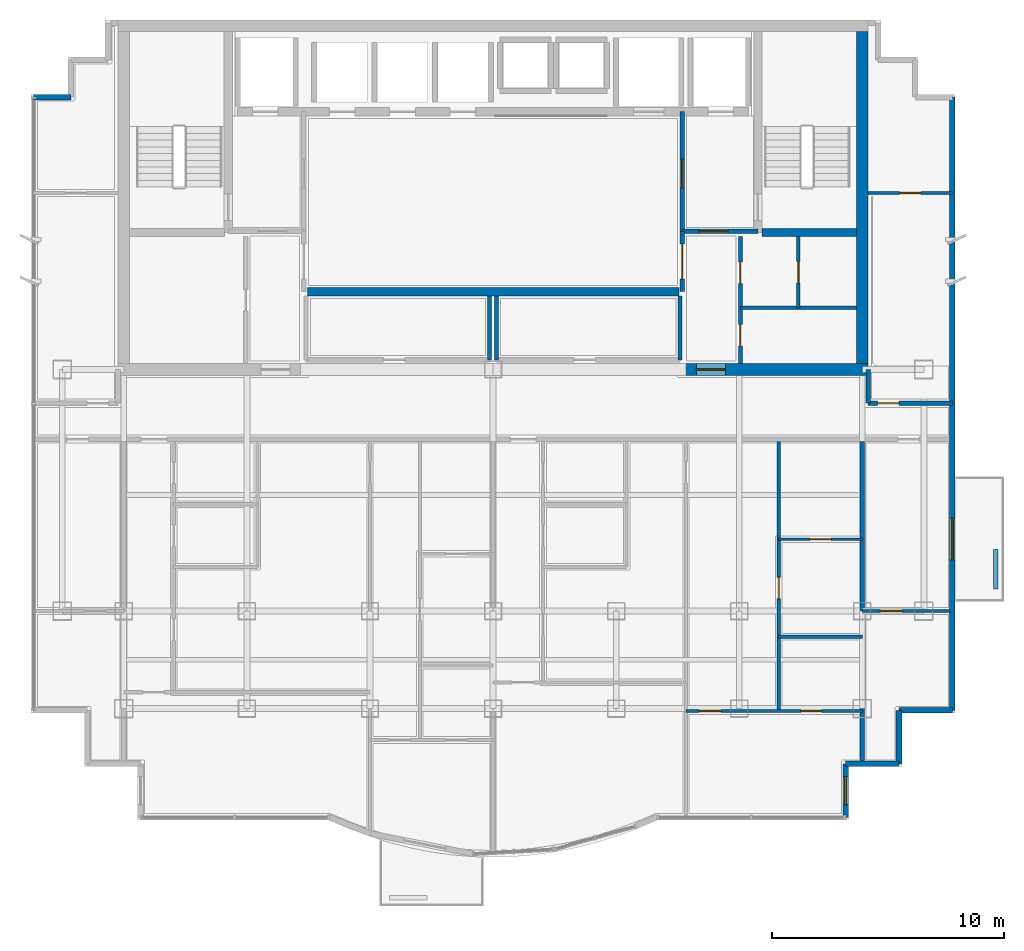
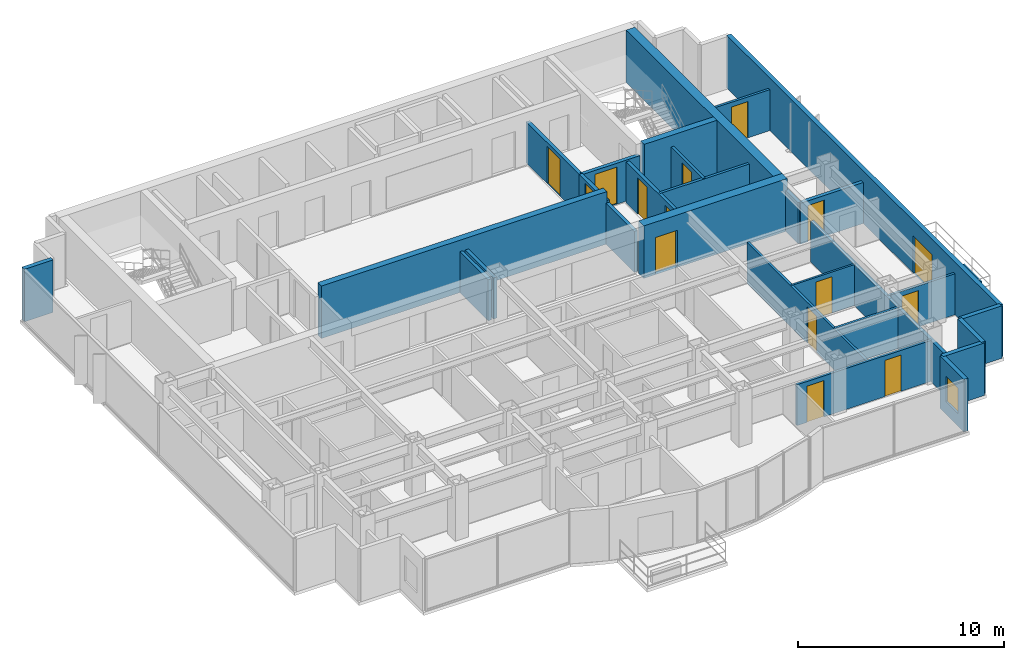
# One storey, part 8 of 11: 29 walls, 15 doors, 1 window, 16 openings.
"""IFC4 building model written with IfcOpenShell, lengths in metres."""

from ifc_helpers import new_model, si_unit, direction, frame, frame_2d, origin, place, context, subcontext, project, spatial, rectangle, extrude, material, layer, layer_set, type_object, element, fill, save


model = new_model("IFC4")

# Units and contexts
model_context = context("Model", 3, precision=1e-05, world=origin(), true_north=direction((0.0, 1.0)))
body_context = subcontext(model_context, "Body", "Model", "MODEL_VIEW")
ifc_project = project(units=[si_unit("LENGTHUNIT", "METRE"), si_unit("AREAUNIT", "SQUARE_METRE"), si_unit("VOLUMEUNIT", "CUBIC_METRE"), si_unit("PLANEANGLEUNIT", "RADIAN"), si_unit("MASSUNIT", "GRAM", prefix="KILO")], contexts=[model_context])

# Site, building, storey
site_placement = place(None, origin())
site = spatial("IfcSite", under=ifc_project, at=site_placement, CompositionType="ELEMENT")
building_placement = place(site_placement, origin())
building = spatial("IfcBuilding", under=site, at=building_placement, Name="Qianlan Lanfeng Residences", CompositionType="ELEMENT")
storey_placement = place(building_placement, frame((0.0, 0.0, 223.10009765625)))
storey = spatial("IfcBuildingStorey", under=building, at=storey_placement, Name="L61", CompositionType="ELEMENT", Elevation=223.10009765625)

# Walls
ifc_material_1 = material(Name="Concrete C49", Category="concrete")
ifc_layer_1 = layer(ifc_material_1, 0.35009765625)
ifc_layer_set_1 = layer_set([ifc_layer_1], Name="Concrete C49")
wall_type_1 = type_object("IfcWallType", Name="CW-RC-350", PredefinedType="SHEAR", material=ifc_layer_set_1)
wall_1_placement = place(storey_placement, frame((38.074951171875, 31.10009765625, 0.0), z_axis=(0.0, 0.0, 1.0), x_axis=(1.0, 0.0, 0.0)))
element("IfcWall", 1, at=wall_1_placement, inside=storey, type_object=wall_type_1, Name="L61 Core Shear Wall ST2S", PredefinedType="SHEAR", context=body_context, shape_type="SweptSolid", body=[
    extrude(rectangle(XDim=4.074951171875, YDim=0.35009765625, at=frame_2d((2.03759765625, 0.0))), origin(), (0.0, 0.0, 1.0), 3.10986328125),
])
wall_2_placement = place(storey_placement, frame((18.5, 28.550048828125, 0.0), z_axis=(0.0, 0.0, 1.0), x_axis=(1.0, 0.0, 0.0)))
element("IfcWall", 2, at=wall_2_placement, inside=storey, type_object=wall_type_1, Name="L61 Core Shear Wall LBS", PredefinedType="SHEAR", context=body_context, shape_type="SweptSolid", body=[
    extrude(rectangle(XDim=16.0, YDim=0.35009765625, at=frame_2d((8.0, 0.0))), origin(), (0.0, 0.0, 1.0), 3.10986328125),
])
ifc_material_2 = material(Name="Concrete C70", Category="concrete")
ifc_layer_2 = layer(ifc_material_2, 0.5)
ifc_layer_set_2 = layer_set([ifc_layer_2], Name="Concrete C70")
wall_type_2 = type_object("IfcWallType", Name="CW-RC-500", PredefinedType="SHEAR", material=ifc_layer_set_2)
wall_3_placement = place(storey_placement, frame((42.39990234375, 25.449951171875, 0.0), z_axis=(0.0, 0.0, 1.0), x_axis=(0.0, 1.0, 0.0)))
element("IfcWall", 3, at=wall_3_placement, inside=storey, type_object=wall_type_2, Name="L61 Core Shear Wall E", PredefinedType="SHEAR", context=body_context, shape_type="SweptSolid", body=[
    extrude(rectangle(XDim=14.300048828125, YDim=0.5, at=frame_2d((7.14990234375, 0.0))), origin(), (0.0, 0.0, 1.0), 3.10986328125),
])

# Wall, opening, door
wall_4_placement = place(storey_placement, frame((34.60009765625, 25.199951171875, 0.0), z_axis=(0.0, 0.0, 1.0), x_axis=(1.0, 0.0, 0.0)))
wall_4 = element("IfcWall", 4, at=wall_4_placement, inside=storey, type_object=wall_type_2, Name="L61 Core Shear Wall SE", PredefinedType="SHEAR", context=body_context, shape_type="SweptSolid", body=[
    extrude(rectangle(XDim=8.0498046875, YDim=0.5, at=frame_2d((4.02490234375, 0.0))), origin(), (0.0, 0.0, 1.0), 3.10986328125),
])
opening_1_placement = place(wall_4_placement, frame((0.64990234375, 0.0, 0.0)))
opening_1 = element("IfcOpeningElement", 5, at=opening_1_placement, cuts=wall_4, Name="Opening L61-D02", PredefinedType="OPENING", context=body_context, shape_type="SweptSolid", body=[
    extrude(rectangle(XDim=1.25, YDim=2.199951171875, at=frame_2d((0.625, 1.10009765625))), frame((0.0, 0.260009765625, 0.0), z_axis=(0.0, -1.0, 0.0), x_axis=(1.0, 0.0, 0.0)), (0.0, 0.0, 1.0), 0.52001953125),
])
ifc_material_3 = material(Name="Painted Galvanised Steel Fire Door", Category="steel")
door_type_1 = type_object("IfcDoorType", Name="DT-FFL", OperationType="NOTDEFINED", PredefinedType="DOOR", material=ifc_material_3)
door_1_placement = place(opening_1_placement, origin())
door_1 = element("IfcDoor", 6, at=door_1_placement, inside=storey, type_object=door_type_1, Name="L61 East Core Lobby Smoke Door L61-D02 (DT-FFL)", OperationType="SINGLE_SWING_LEFT", OverallHeight=2.199951171875, OverallWidth=1.25, PredefinedType="DOOR", context=body_context, shape_type="SweptSolid", body=[
    extrude(rectangle(XDim=1.25, YDim=2.199951171875, at=frame_2d((0.625, 1.10009765625))), frame((0.0, 0.02490234375, 0.0), z_axis=(0.0, -1.0, 0.0), x_axis=(1.0, 0.0, 0.0)), (0.0, 0.0, 1.0), 0.050048828125),
])
fill(opening_1, door_1)

# Wall, opening, window
ifc_material_4 = material(Name="Concrete C42", Category="concrete")
ifc_layer_3 = layer(ifc_material_4, 0.239990234375)
ifc_layer_set_3 = layer_set([ifc_layer_3], Name="Concrete C42")
wall_type_3 = type_object("IfcWallType", Name="EW-240", PredefinedType="SOLIDWALL", material=ifc_layer_set_3)
wall_5_placement = place(storey_placement, frame((41.679931640625, 5.919921875, 0.0), z_axis=(0.0, 0.0, 1.0), x_axis=(0.0, 1.0, 0.0)))
wall_5 = element("IfcWall", 7, at=wall_5_placement, inside=storey, type_object=wall_type_3, Name="L61 Exterior Facade Spandrel Wall 8", PredefinedType="SOLIDWALL", context=body_context, shape_type="SweptSolid", body=[
    extrude(rectangle(XDim=2.300048828125, YDim=0.239990234375, at=frame_2d((1.14990234375, 0.0))), origin(), (0.0, 0.0, 1.0), 3.10986328125),
])
opening_2_placement = place(wall_5_placement, frame((0.550048828125, 0.0, 0.75)))
opening_2 = element("IfcOpeningElement", 8, at=opening_2_placement, cuts=wall_5, Name="Opening W-03", PredefinedType="OPENING", context=body_context, shape_type="SweptSolid", body=[
    extrude(rectangle(XDim=1.199951171875, YDim=1.5, at=frame_2d((0.60009765625, 0.75))), frame((0.0, 0.1298828125, 0.0), z_axis=(0.0, -1.0, 0.0), x_axis=(1.0, 0.0, 0.0)), (0.0, 0.0, 1.0), 0.260009765625),
])
ifc_material_5 = material(Name="Anodised Bronze Aluminium Framed Double Glazing", Category="aluminium")
window_type = type_object("IfcWindowType", Name="W-03", PartitioningType="SINGLE_PANEL", PredefinedType="WINDOW", material=ifc_material_5)
window_placement = place(opening_2_placement, origin())
window = element("IfcWindow", 9, at=window_placement, inside=storey, type_object=window_type, Name="L61 Facade Punched Window W-03", OverallHeight=1.5, OverallWidth=1.199951171875, PartitioningType="SINGLE_PANEL", PredefinedType="WINDOW", context=body_context, shape_type="SweptSolid", body=[
    extrude(rectangle(XDim=1.199951171875, YDim=1.5, at=frame_2d((0.60009765625, 0.75))), frame((0.0, 0.030029296875, 0.0), z_axis=(0.0, -1.0, 0.0), x_axis=(1.0, 0.0, 0.0)), (0.0, 0.0, 1.0), 0.06005859375),
])
fill(opening_2, window)

# Walls
for number, where, z_axis, x_axis, name in (
    (10, (41.679931640625, 8.219970703125, 0.0), (0.0, 0.0, 1.0), (1.0, 0.0, 0.0), "L61 Exterior Facade Spandrel Wall 9"),
    (11, (43.97998046875, 8.219970703125, 0.0), (0.0, 0.0, 1.0), (0.0, 1.0, 0.0), "L61 Exterior Facade Spandrel Wall 10"),
    (12, (43.97998046875, 10.52001953125, 0.0), (0.0, 0.0, 1.0), (1.0, 0.0, 0.0), "L61 Exterior Facade Spandrel Wall 11"),
):
    element("IfcWall", number, at=place(storey_placement, frame(where, z_axis=z_axis, x_axis=x_axis)), inside=storey, type_object=wall_type_3, Name=name, PredefinedType="SOLIDWALL", context=body_context, shape_type="SweptSolid", body=[
        extrude(rectangle(XDim=2.300048828125, YDim=0.239990234375, at=frame_2d((1.14990234375, 0.0))), origin(), (0.0, 0.0, 1.0), 3.10986328125),
    ])

# Wall, opening, door
wall_6_placement = place(storey_placement, frame((46.280029296875, 10.52001953125, 0.0), z_axis=(0.0, 0.0, 1.0), x_axis=(0.0, 1.0, 0.0)))
wall_6 = element("IfcWall", 13, at=wall_6_placement, inside=storey, type_object=wall_type_3, Name="L61 Terrace/Balcony Access Exterior Wall 12", PredefinedType="SOLIDWALL", context=body_context, shape_type="SweptSolid", body=[
    extrude(rectangle(XDim=26.409912109375, YDim=0.239990234375, at=frame_2d((13.205078125, 0.0))), origin(), (0.0, 0.0, 1.0), 3.10986328125),
])
opening_3_placement = place(wall_6_placement, frame((6.47998046875, 0.0, 0.0)))
opening_3 = element("IfcOpeningElement", 14, at=opening_3_placement, cuts=wall_6, Name="Opening L61-D-EB-S", PredefinedType="OPENING", context=body_context, shape_type="SweptSolid", body=[
    extrude(rectangle(XDim=1.800048828125, YDim=2.199951171875, at=frame_2d((0.89990234375, 1.10009765625))), frame((0.0, 0.1298828125, 0.0), z_axis=(0.0, -1.0, 0.0), x_axis=(1.0, 0.0, 0.0)), (0.0, 0.0, 1.0), 0.260009765625),
])
ifc_material_6 = material(Name="Anodised Bronze Aluminium Framed Glass", Category="aluminium")
door_type_2 = type_object("IfcDoorType", Name="DT-BAL1", OperationType="NOTDEFINED", PredefinedType="DOOR", material=ifc_material_6)
door_2_placement = place(opening_3_placement, frame((1.800048828125, 0.0, 0.0), z_axis=(0.0, 0.0, 1.0), x_axis=(-1.0, 0.0, 0.0)))
door_2 = element("IfcDoor", 15, at=door_2_placement, inside=storey, type_object=door_type_2, Name="L61 Exterior Access Door EB-S", OperationType="DOUBLE_DOOR_SLIDING", OverallHeight=2.199951171875, OverallWidth=1.800048828125, PredefinedType="DOOR", context=body_context, shape_type="SweptSolid", body=[
    extrude(rectangle(XDim=1.800048828125, YDim=2.199951171875, at=frame_2d((0.89990234375, 1.10009765625))), frame((0.0, 0.02490234375, 0.0), z_axis=(0.0, -1.0, 0.0), x_axis=(1.0, 0.0, 0.0)), (0.0, 0.0, 1.0), 0.050048828125),
])
fill(opening_3, door_2)

# Walls
wall_7_placement = place(storey_placement, frame((8.320068359375, 36.929931640625, 0.0), z_axis=(0.0, 0.0, 1.0), x_axis=(-1.0, 0.0, 0.0)))
element("IfcWall", 16, at=wall_7_placement, inside=storey, type_object=wall_type_3, Name="L61 Exterior Facade Spandrel Wall 22", PredefinedType="SOLIDWALL", context=body_context, shape_type="SweptSolid", body=[
    extrude(rectangle(XDim=1.60009765625, YDim=0.239990234375, at=frame_2d((0.800048828125, 0.0))), origin(), (0.0, 0.0, 1.0), 3.10986328125),
])
ifc_layer_4 = layer(ifc_material_4, 0.199951171875)
ifc_layer_set_4 = layer_set([ifc_layer_4], Name="Concrete C42")
wall_type_4 = type_object("IfcWallType", Name="PL-TREE-200", PredefinedType="PARAPET", material=ifc_layer_set_4)
wall_8_placement = place(storey_placement, frame((48.14990234375, 15.75, 0.0), z_axis=(0.0, 0.0, 1.0), x_axis=(0.0, 1.0, 0.0)))
element("IfcWall", 17, at=wall_8_placement, inside=storey, type_object=wall_type_4, Name="L61 East Tree Planter Curb EB-S", PredefinedType="PARAPET", context=body_context, shape_type="SweptSolid", body=[
    extrude(rectangle(XDim=1.699951171875, YDim=0.199951171875, at=frame_2d((0.85009765625, 0.0))), origin(), (0.0, 0.0, 1.0), 0.64990234375),
])

# Wall, opening, door
ifc_material_7 = material(Name="Demountable Acoustic Framing Partition 110 mm")
ifc_layer_5 = layer(ifc_material_7, 0.110107421875)
ifc_layer_set_5 = layer_set([ifc_layer_5], Name="Demountable Acoustic Framing Partition 110 mm")
wall_type_5 = type_object("IfcWallType", Name="PW-110", PredefinedType="MOVABLE", material=ifc_layer_set_5)
wall_9_placement = place(storey_placement, frame((38.800048828125, 17.89697265625, 0.0), z_axis=(0.0, 0.0, 1.0), x_axis=(1.0, 0.0, 0.0)))
wall_9 = element("IfcWall", 18, at=wall_9_placement, inside=storey, type_object=wall_type_5, Name="L61 U02 Wardrobe Split", PredefinedType="MOVABLE", context=body_context, shape_type="SweptSolid", body=[
    extrude(rectangle(XDim=3.599853515625, YDim=0.110107421875, at=frame_2d((1.7998046875, 0.0))), origin(), (0.0, 0.0, 1.0), 2.429931640625),
])
opening_4_placement = place(wall_9_placement, frame((1.340087890625, 0.0, 0.0)))
opening_4 = element("IfcOpeningElement", 19, at=opening_4_placement, cuts=wall_9, Name="Opening L61-D36", PredefinedType="OPENING", context=body_context, shape_type="SweptSolid", body=[
    extrude(rectangle(XDim=0.919921875, YDim=2.14990234375, at=frame_2d((0.4599609375, 1.074951171875))), frame((0.0, 0.06494140625, 0.0), z_axis=(0.0, -1.0, 0.0), x_axis=(1.0, 0.0, 0.0)), (0.0, 0.0, 1.0), 0.130126953125),
])
ifc_material_8 = material(Name="Glazed Timber Kitchen/Study Door", Category="wood")
door_type_3 = type_object("IfcDoorType", Name="DT-INT", OperationType="NOTDEFINED", PredefinedType="DOOR", material=ifc_material_8)
door_3_placement = place(opening_4_placement, origin())
door_3 = element("IfcDoor", 20, at=door_3_placement, inside=storey, type_object=door_type_3, Name="L61 U02 Dressing Inner Door L61-D36 (DT-INT)", OperationType="SINGLE_SWING_LEFT", OverallHeight=2.14990234375, OverallWidth=0.919921875, PredefinedType="DOOR", context=body_context, shape_type="SweptSolid", body=[
    extrude(rectangle(XDim=0.919921875, YDim=2.14990234375, at=frame_2d((0.4599609375, 1.074951171875))), frame((0.0, 0.02490234375, 0.0), z_axis=(0.0, -1.0, 0.0), x_axis=(1.0, 0.0, 0.0)), (0.0, 0.0, 1.0), 0.050048828125),
])
fill(opening_4, door_3)

# Wall, openings, doors
ifc_material_9 = material(Name="Moisture-Resistant Gypsum Partition 135 mm")
ifc_layer_6 = layer(ifc_material_9, 0.135009765625)
ifc_layer_set_6 = layer_set([ifc_layer_6], Name="Moisture-Resistant Gypsum Partition 135 mm")
wall_type_6 = type_object("IfcWallType", Name="PW-135", PredefinedType="PARTITIONING", material=ifc_layer_set_6)
wall_10_placement = place(storey_placement, frame((34.800048828125, 10.493896484375, 0.0), z_axis=(0.0, 0.0, 1.0), x_axis=(1.0, 0.0, 0.0)))
wall_10 = element("IfcWall", 21, at=wall_10_placement, inside=storey, type_object=wall_type_6, Name="L61 U02 Master Bedroom North Wall", PredefinedType="PARTITIONING", context=body_context, shape_type="SweptSolid", body=[
    extrude(rectangle(XDim=7.599853515625, YDim=0.135009765625, at=frame_2d((3.7998046875, 0.0))), origin(), (0.0, 0.0, 1.0), 2.429931640625),
])
opening_5_placement = place(wall_10_placement, frame((0.574951171875, 0.0, 0.0)))
opening_5 = element("IfcOpeningElement", 22, at=opening_5_placement, cuts=wall_10, Name="Opening L61-D33", PredefinedType="OPENING", context=body_context, shape_type="SweptSolid", body=[
    extrude(rectangle(XDim=0.949951171875, YDim=2.14990234375, at=frame_2d((0.47509765625, 1.074951171875))), frame((0.0, 0.07763671875, 0.0), z_axis=(0.0, -1.0, 0.0), x_axis=(1.0, 0.0, 0.0)), (0.0, 0.0, 1.0), 0.155029296875),
])
opening_6_placement = place(wall_10_placement, frame((4.949951171875, 0.0, 0.0)))
opening_6 = element("IfcOpeningElement", 23, at=opening_6_placement, cuts=wall_10, Name="Opening L61-D34", PredefinedType="OPENING", context=body_context, shape_type="SweptSolid", body=[
    extrude(rectangle(XDim=0.89990234375, YDim=2.14990234375, at=frame_2d((0.449951171875, 1.074951171875))), frame((0.0, 0.07763671875, 0.0), z_axis=(0.0, -1.0, 0.0), x_axis=(1.0, 0.0, 0.0)), (0.0, 0.0, 1.0), 0.155029296875),
])
ifc_material_10 = material(Name="Painted Solid-Core Timber Leaf", Category="wood")
door_type_4 = type_object("IfcDoorType", Name="DT-BED", OperationType="NOTDEFINED", PredefinedType="DOOR", material=ifc_material_10)
door_4_placement = place(opening_5_placement, frame((0.949951171875, 0.0, 0.0), z_axis=(0.0, 0.0, 1.0), x_axis=(-1.0, 0.0, 0.0)))
door_4 = element("IfcDoor", 24, at=door_4_placement, inside=storey, type_object=door_type_4, Name="L61 U02 Master Bedroom Door L61-D33 (DT-BED)", OperationType="SINGLE_SWING_RIGHT", OverallHeight=2.14990234375, OverallWidth=0.949951171875, PredefinedType="DOOR", context=body_context, shape_type="SweptSolid", body=[
    extrude(rectangle(XDim=0.949951171875, YDim=2.14990234375, at=frame_2d((0.47509765625, 1.074951171875))), frame((0.0, 0.02490234375, 0.0), z_axis=(0.0, -1.0, 0.0), x_axis=(1.0, 0.0, 0.0)), (0.0, 0.0, 1.0), 0.050048828125),
])
fill(opening_5, door_4)
ifc_material_11 = material(Name="Moisture-Resistant Timber Leaf", Category="wood")
door_type_5 = type_object("IfcDoorType", Name="DT-WC", OperationType="NOTDEFINED", PredefinedType="DOOR", material=ifc_material_11)
door_5_placement = place(opening_6_placement, origin())
door_5 = element("IfcDoor", 25, at=door_5_placement, inside=storey, type_object=door_type_5, Name="L61 U02 En-Suite Bathroom Door L61-D34 (DT-WC)", OperationType="SINGLE_SWING_LEFT", OverallHeight=2.14990234375, OverallWidth=0.89990234375, PredefinedType="DOOR", context=body_context, shape_type="SweptSolid", body=[
    extrude(rectangle(XDim=0.89990234375, YDim=2.14990234375, at=frame_2d((0.449951171875, 1.074951171875))), frame((0.0, 0.02490234375, 0.0), z_axis=(0.0, -1.0, 0.0), x_axis=(1.0, 0.0, 0.0)), (0.0, 0.0, 1.0), 0.050048828125),
])
fill(opening_6, door_5)

# Wall, opening, door
wall_11_placement = place(storey_placement, frame((38.800048828125, 10.493896484375, 0.0), z_axis=(0.0, 0.0, 1.0), x_axis=(0.0, 1.0, 0.0)))
wall_11 = element("IfcWall", 26, at=wall_11_placement, inside=storey, type_object=wall_type_6, Name="L61 U02 Master Passage Wall", PredefinedType="PARTITIONING", context=body_context, shape_type="SweptSolid", body=[
    extrude(rectangle(XDim=11.606201171875, YDim=0.135009765625, at=frame_2d((5.80322265625, 0.0))), origin(), (0.0, 0.0, 1.0), 2.429931640625),
])
opening_7_placement = place(wall_11_placement, frame((4.841064453125, 0.0, 0.0)))
opening_7 = element("IfcOpeningElement", 27, at=opening_7_placement, cuts=wall_11, Name="Opening L61-D35", PredefinedType="OPENING", context=body_context, shape_type="SweptSolid", body=[
    extrude(rectangle(XDim=0.919921875, YDim=2.14990234375, at=frame_2d((0.4599609375, 1.074951171875))), frame((0.0, 0.07763671875, 0.0), z_axis=(0.0, -1.0, 0.0), x_axis=(1.0, 0.0, 0.0)), (0.0, 0.0, 1.0), 0.155029296875),
])
door_6_placement = place(opening_7_placement, origin())
door_6 = element("IfcDoor", 28, at=door_6_placement, inside=storey, type_object=door_type_3, Name="L61 U02 Wardrobe Door L61-D35 (DT-INT)", OperationType="SINGLE_SWING_RIGHT", OverallHeight=2.14990234375, OverallWidth=0.919921875, PredefinedType="DOOR", context=body_context, shape_type="SweptSolid", body=[
    extrude(rectangle(XDim=0.919921875, YDim=2.14990234375, at=frame_2d((0.4599609375, 1.074951171875))), frame((0.0, 0.02490234375, 0.0), z_axis=(0.0, -1.0, 0.0), x_axis=(1.0, 0.0, 0.0)), (0.0, 0.0, 1.0), 0.050048828125),
])
fill(opening_7, door_6)

# Wall
wall_12_placement = place(storey_placement, frame((38.800048828125, 13.694091796875, 0.0), z_axis=(0.0, 0.0, 1.0), x_axis=(1.0, 0.0, 0.0)))
element("IfcWall", 29, at=wall_12_placement, inside=storey, type_object=wall_type_6, Name="L61 U02 En-Suite North Wall", PredefinedType="PARTITIONING", context=body_context, shape_type="SweptSolid", body=[
    extrude(rectangle(XDim=3.599853515625, YDim=0.135009765625, at=frame_2d((1.7998046875, 0.0))), origin(), (0.0, 0.0, 1.0), 2.429931640625),
])

# Wall, opening, door
wall_13_placement = place(storey_placement, frame((42.39990234375, 14.800048828125, 0.0), z_axis=(0.0, 0.0, 1.0), x_axis=(1.0, 0.0, 0.0)))
wall_13 = element("IfcWall", 30, at=wall_13_placement, inside=storey, type_object=wall_type_6, Name="L61 SEP Mid Partition", PredefinedType="PARTITIONING", context=body_context, shape_type="SweptSolid", body=[
    extrude(rectangle(XDim=3.780029296875, YDim=0.135009765625, at=frame_2d((1.89013671875, 0.0))), origin(), (0.0, 0.0, 1.0), 2.429931640625),
])
opening_8_placement = place(wall_13_placement, frame((0.780029296875, 0.0, 0.0)))
opening_8 = element("IfcOpeningElement", 31, at=opening_8_placement, cuts=wall_13, Name="Opening L61-D39", PredefinedType="OPENING", context=body_context, shape_type="SweptSolid", body=[
    extrude(rectangle(XDim=0.919921875, YDim=2.14990234375, at=frame_2d((0.4599609375, 1.074951171875))), frame((0.0, 0.07763671875, 0.0), z_axis=(0.0, -1.0, 0.0), x_axis=(1.0, 0.0, 0.0)), (0.0, 0.0, 1.0), 0.155029296875),
])
door_7_placement = place(opening_8_placement, origin())
door_7 = element("IfcDoor", 32, at=door_7_placement, inside=storey, type_object=door_type_3, Name="L61 SEP Inner Door L61-D39 (DT-INT)", OperationType="SINGLE_SWING_RIGHT", OverallHeight=2.14990234375, OverallWidth=0.919921875, PredefinedType="DOOR", context=body_context, shape_type="SweptSolid", body=[
    extrude(rectangle(XDim=0.919921875, YDim=2.14990234375, at=frame_2d((0.4599609375, 1.074951171875))), frame((0.0, 0.02490234375, 0.0), z_axis=(0.0, -1.0, 0.0), x_axis=(1.0, 0.0, 0.0)), (0.0, 0.0, 1.0), 0.050048828125),
])
fill(opening_8, door_7)

wall_14_placement = place(storey_placement, frame((42.64990234375, 32.800048828125, 0.0), z_axis=(0.0, 0.0, 1.0), x_axis=(1.0, 0.0, 0.0)))
wall_14 = element("IfcWall", 33, at=wall_14_placement, inside=storey, type_object=wall_type_6, Name="L61 EW North Wing Wall", PredefinedType="PARTITIONING", context=body_context, shape_type="SweptSolid", body=[
    extrude(rectangle(XDim=3.630126953125, YDim=0.135009765625, at=frame_2d((1.81494140625, 0.0))), origin(), (0.0, 0.0, 1.0), 2.429931640625),
])
opening_9_placement = place(wall_14_placement, frame((1.35498046875, 0.0, 0.0)))
opening_9 = element("IfcOpeningElement", 34, at=opening_9_placement, cuts=wall_14, Name="Opening L61-D43", PredefinedType="OPENING", context=body_context, shape_type="SweptSolid", body=[
    extrude(rectangle(XDim=0.919921875, YDim=2.14990234375, at=frame_2d((0.4599609375, 1.074951171875))), frame((0.0, 0.07763671875, 0.0), z_axis=(0.0, -1.0, 0.0), x_axis=(1.0, 0.0, 0.0)), (0.0, 0.0, 1.0), 0.155029296875),
])
door_8_placement = place(opening_9_placement, origin())
door_8 = element("IfcDoor", 35, at=door_8_placement, inside=storey, type_object=door_type_3, Name="L61 EW Inner Salon Door L61-D43 (DT-INT)", OperationType="SINGLE_SWING_RIGHT", OverallHeight=2.14990234375, OverallWidth=0.919921875, PredefinedType="DOOR", context=body_context, shape_type="SweptSolid", body=[
    extrude(rectangle(XDim=0.919921875, YDim=2.14990234375, at=frame_2d((0.4599609375, 1.074951171875))), frame((0.0, 0.02490234375, 0.0), z_axis=(0.0, -1.0, 0.0), x_axis=(1.0, 0.0, 0.0)), (0.0, 0.0, 1.0), 0.050048828125),
])
fill(opening_9, door_8)

# Wall
ifc_material_12 = material(Name="Acoustic Drywall Partition 150 mm")
ifc_layer_7 = layer(ifc_material_12, 0.14990234375)
ifc_layer_set_7 = layer_set([ifc_layer_7], Name="Acoustic Drywall Partition 150 mm")
wall_type_7 = type_object("IfcWallType", Name="PW-150", PredefinedType="PARTITIONING", material=ifc_layer_set_7)
wall_15_placement = place(storey_placement, frame((37.14990234375, 27.85009765625, 0.0), z_axis=(0.0, 0.0, 1.0), x_axis=(1.0, 0.0, 0.0)))
element("IfcWall", 36, at=wall_15_placement, inside=storey, type_object=wall_type_7, Name="L61 Core East H Split", PredefinedType="PARTITIONING", context=body_context, shape_type="SweptSolid", body=[
    extrude(rectangle(XDim=5.0, YDim=0.14990234375, at=frame_2d((2.5, 0.0))), origin(), (0.0, 0.0, 1.0), 2.429931640625),
])

# Wall, opening, door
wall_16_placement = place(storey_placement, frame((39.64990234375, 27.85009765625, 0.0), z_axis=(0.0, 0.0, 1.0), x_axis=(0.0, 1.0, 0.0)))
wall_16 = element("IfcWall", 37, at=wall_16_placement, inside=storey, type_object=wall_type_7, Name="L61 Core East V Split", PredefinedType="PARTITIONING", context=body_context, shape_type="SweptSolid", body=[
    extrude(rectangle(XDim=3.074951171875, YDim=0.14990234375, at=frame_2d((1.53759765625, 0.0))), origin(), (0.0, 0.0, 1.0), 2.429931640625),
])
opening_10_placement = place(wall_16_placement, frame((1.077880859375, 0.0, 0.0)))
opening_10 = element("IfcOpeningElement", 38, at=opening_10_placement, cuts=wall_16, Name="Opening L61-D12", PredefinedType="OPENING", context=body_context, shape_type="SweptSolid", body=[
    extrude(rectangle(XDim=0.919921875, YDim=2.14990234375, at=frame_2d((0.4599609375, 1.074951171875))), frame((0.0, 0.0849609375, 0.0), z_axis=(0.0, -1.0, 0.0), x_axis=(1.0, 0.0, 0.0)), (0.0, 0.0, 1.0), 0.169921875),
])
door_9_placement = place(opening_10_placement, origin())
door_9 = element("IfcDoor", 39, at=door_9_placement, inside=storey, type_object=door_type_3, Name="L61 Inner Supply Closet Door L61-D12 (DT-INT)", OperationType="SINGLE_SWING_LEFT", OverallHeight=2.14990234375, OverallWidth=0.919921875, PredefinedType="DOOR", context=body_context, shape_type="SweptSolid", body=[
    extrude(rectangle(XDim=0.919921875, YDim=2.14990234375, at=frame_2d((0.4599609375, 1.074951171875))), frame((0.0, 0.02490234375, 0.0), z_axis=(0.0, -1.0, 0.0), x_axis=(1.0, 0.0, 0.0)), (0.0, 0.0, 1.0), 0.050048828125),
])
fill(opening_10, door_9)

# Wall, openings, doors
ifc_material_13 = material(Name="Double-Layer Acoustic Gypsum Stud Wall 180 mm")
ifc_layer_8 = layer(ifc_material_13, 0.179931640625)
ifc_layer_set_8 = layer_set([ifc_layer_8], Name="Double-Layer Acoustic Gypsum Stud Wall 180 mm")
wall_type_8 = type_object("IfcWallType", Name="PW-180", PredefinedType="PARTITIONING", material=ifc_layer_set_8)
wall_17_placement = place(storey_placement, frame((37.14990234375, 25.449951171875, 0.0), z_axis=(0.0, 0.0, 1.0), x_axis=(0.0, 1.0, 0.0)))
wall_17 = element("IfcWall", 40, at=wall_17_placement, inside=storey, type_object=wall_type_8, Name="L61 Core East Service Room Wall", PredefinedType="PARTITIONING", context=body_context, shape_type="SweptSolid", body=[
    extrude(rectangle(XDim=5.47509765625, YDim=0.179931640625, at=frame_2d((2.737548828125, 0.0))), origin(), (0.0, 0.0, 1.0), 2.429931640625),
])
opening_11_placement = place(wall_17_placement, frame((0.764892578125, 0.0, 0.0)))
opening_11 = element("IfcOpeningElement", 41, at=opening_11_placement, cuts=wall_17, Name="Opening L61-D10", PredefinedType="OPENING", context=body_context, shape_type="SweptSolid", body=[
    extrude(rectangle(XDim=0.919921875, YDim=2.14990234375, at=frame_2d((0.4599609375, 1.074951171875))), frame((0.0, 0.10009765625, 0.0), z_axis=(0.0, -1.0, 0.0), x_axis=(1.0, 0.0, 0.0)), (0.0, 0.0, 1.0), 0.199951171875),
])
opening_12_placement = place(wall_17_placement, frame((3.451904296875, 0.0, 0.0)))
opening_12 = element("IfcOpeningElement", 42, at=opening_12_placement, cuts=wall_17, Name="Opening L61-D11", PredefinedType="OPENING", context=body_context, shape_type="SweptSolid", body=[
    extrude(rectangle(XDim=0.919921875, YDim=2.14990234375, at=frame_2d((0.4599609375, 1.074951171875))), frame((0.0, 0.10009765625, 0.0), z_axis=(0.0, -1.0, 0.0), x_axis=(1.0, 0.0, 0.0)), (0.0, 0.0, 1.0), 0.199951171875),
])
door_10_placement = place(opening_11_placement, origin())
door_10 = element("IfcDoor", 43, at=door_10_placement, inside=storey, type_object=door_type_3, Name="L61 Refuse Room Door L61-D10 (DT-INT)", OperationType="SINGLE_SWING_LEFT", OverallHeight=2.14990234375, OverallWidth=0.919921875, PredefinedType="DOOR", context=body_context, shape_type="SweptSolid", body=[
    extrude(rectangle(XDim=0.919921875, YDim=2.14990234375, at=frame_2d((0.4599609375, 1.074951171875))), frame((0.0, 0.02490234375, 0.0), z_axis=(0.0, -1.0, 0.0), x_axis=(1.0, 0.0, 0.0)), (0.0, 0.0, 1.0), 0.050048828125),
])
fill(opening_11, door_10)
door_11_placement = place(opening_12_placement, origin())
door_11 = element("IfcDoor", 44, at=door_11_placement, inside=storey, type_object=door_type_3, Name="L61 Janitor Outer Door L61-D11 (DT-INT)", OperationType="SINGLE_SWING_RIGHT", OverallHeight=2.14990234375, OverallWidth=0.919921875, PredefinedType="DOOR", context=body_context, shape_type="SweptSolid", body=[
    extrude(rectangle(XDim=0.919921875, YDim=2.14990234375, at=frame_2d((0.4599609375, 1.074951171875))), frame((0.0, 0.02490234375, 0.0), z_axis=(0.0, -1.0, 0.0), x_axis=(1.0, 0.0, 0.0)), (0.0, 0.0, 1.0), 0.050048828125),
])
fill(opening_12, door_11)

# Walls
for number, where, z_axis, x_axis, name in (
    (45, (26.35009765625, 25.6201171875, 0.0), (0.0, 0.0, 1.0), (0.0, 1.0, 0.0), "L61 Reclaimed Low-Bank Room East Wall"),
    (46, (26.64990234375, 25.6201171875, 0.0), (0.0, 0.0, 1.0), (0.0, 1.0, 0.0), "L61 Reclaimed Mid-Bank Room West Wall"),
    (47, (34.550048828125, 25.6201171875, 0.0), (0.0, 0.0, 1.0), (0.0, 1.0, 0.0), "L61 Reclaimed Mid-Bank Room East Wall"),
):
    element("IfcWall", number, at=place(storey_placement, frame(where, z_axis=z_axis, x_axis=x_axis)), inside=storey, type_object=wall_type_8, Name=name, PredefinedType="PARTITIONING", context=body_context, shape_type="SweptSolid", body=[
        extrude(rectangle(XDim=2.7548828125, YDim=0.179931640625, at=frame_2d((1.37744140625, 0.0))), origin(), (0.0, 0.0, 1.0), 2.429931640625),
    ])
wall_18_placement = place(storey_placement, frame((42.39990234375, 8.320068359375, 0.0), z_axis=(0.0, 0.0, 1.0), x_axis=(0.0, 1.0, 0.0)))
element("IfcWall", 48, at=wall_18_placement, inside=storey, type_object=wall_type_8, Name="L61 Wing Boundary Party Wall E0", PredefinedType="PARTITIONING", context=body_context, shape_type="SweptSolid", body=[
    extrude(rectangle(XDim=13.780029296875, YDim=0.179931640625, at=frame_2d((6.89013671875, 0.0))), origin(), (0.0, 0.0, 1.0), 2.429931640625),
])

# Wall, opening, door
ifc_material_14 = material(Name="Autoclaved Aerated Concrete Blockwork 200 mm", Category="masonry")
ifc_layer_9 = layer(ifc_material_14, 0.199951171875)
ifc_layer_set_9 = layer_set([ifc_layer_9], Name="Autoclaved Aerated Concrete Blockwork 200 mm")
wall_type_9 = type_object("IfcWallType", Name="PW-200", PredefinedType="PARTITIONING", material=ifc_layer_set_9)
wall_19_placement = place(storey_placement, frame((34.64990234375, 31.14990234375, 0.0), z_axis=(0.0, 0.0, 1.0), x_axis=(1.0, 0.0, 0.0)))
wall_19 = element("IfcWall", 49, at=wall_19_placement, inside=storey, type_object=wall_type_9, Name="L61 Firefighting Lobby 2 South Wall", PredefinedType="PARTITIONING", context=body_context, shape_type="SweptSolid", body=[
    extrude(rectangle(XDim=3.25, YDim=0.199951171875, at=frame_2d((1.625, 0.0))), origin(), (0.0, 0.0, 1.0), 2.429931640625),
])
opening_13_placement = place(wall_19_placement, frame((0.72509765625, 0.0, 0.0)))
opening_13 = element("IfcOpeningElement", 50, at=opening_13_placement, cuts=wall_19, Name="Opening L61-D05", PredefinedType="OPENING", context=body_context, shape_type="SweptSolid", body=[
    extrude(rectangle(XDim=1.25, YDim=2.199951171875, at=frame_2d((0.625, 1.10009765625))), frame((0.0, 0.10986328125, 0.0), z_axis=(0.0, -1.0, 0.0), x_axis=(1.0, 0.0, 0.0)), (0.0, 0.0, 1.0), 0.219970703125),
])
door_12_placement = place(opening_13_placement, origin())
door_12 = element("IfcDoor", 51, at=door_12_placement, inside=storey, type_object=door_type_1, Name="L61 Firefighting Lobby 2 Entry Door L61-D05 (DT-FFL)", OperationType="SINGLE_SWING_RIGHT", OverallHeight=2.199951171875, OverallWidth=1.25, PredefinedType="DOOR", context=body_context, shape_type="SweptSolid", body=[
    extrude(rectangle(XDim=1.25, YDim=2.199951171875, at=frame_2d((0.625, 1.10009765625))), frame((0.0, 0.02490234375, 0.0), z_axis=(0.0, -1.0, 0.0), x_axis=(1.0, 0.0, 0.0)), (0.0, 0.0, 1.0), 0.050048828125),
])
fill(opening_13, door_12)

wall_20_placement = place(storey_placement, frame((34.64990234375, 31.14990234375, 0.0), z_axis=(0.0, 0.0, 1.0), x_axis=(0.0, 1.0, 0.0)))
wall_20 = element("IfcWall", 52, at=wall_20_placement, inside=storey, type_object=wall_type_9, Name="L61 Firefighting Lobby 2 West Wall", PredefinedType="PARTITIONING", context=body_context, shape_type="SweptSolid", body=[
    extrude(rectangle(XDim=5.150146484375, YDim=0.199951171875, at=frame_2d((2.5751953125, 0.0))), origin(), (0.0, 0.0, 1.0), 2.429931640625),
])
opening_14_placement = place(wall_20_placement, frame((1.875, 0.0, 0.0)))
opening_14 = element("IfcOpeningElement", 53, at=opening_14_placement, cuts=wall_20, Name="Opening L61-D06", PredefinedType="OPENING", context=body_context, shape_type="SweptSolid", body=[
    extrude(rectangle(XDim=1.25, YDim=2.199951171875, at=frame_2d((0.625, 1.10009765625))), frame((0.0, 0.10986328125, 0.0), z_axis=(0.0, -1.0, 0.0), x_axis=(1.0, 0.0, 0.0)), (0.0, 0.0, 1.0), 0.219970703125),
])
door_13_placement = place(opening_14_placement, origin())
door_13 = element("IfcDoor", 54, at=door_13_placement, inside=storey, type_object=door_type_1, Name="L61 Firefighting Lobby 2 Lift Lobby Door L61-D06 (DT-FFL)", OperationType="SINGLE_SWING_LEFT", OverallHeight=2.199951171875, OverallWidth=1.25, PredefinedType="DOOR", context=body_context, shape_type="SweptSolid", body=[
    extrude(rectangle(XDim=1.25, YDim=2.199951171875, at=frame_2d((0.625, 1.10009765625))), frame((0.0, 0.02490234375, 0.0), z_axis=(0.0, -1.0, 0.0), x_axis=(1.0, 0.0, 0.0)), (0.0, 0.0, 1.0), 0.050048828125),
])
fill(opening_14, door_13)

wall_21_placement = place(storey_placement, frame((34.64990234375, 28.550048828125, 0.0), z_axis=(0.0, 0.0, 1.0), x_axis=(0.0, 1.0, 0.0)))
wall_21 = element("IfcWall", 55, at=wall_21_placement, inside=storey, type_object=wall_type_9, Name="L61 Lift Lobby East Connector Wall", PredefinedType="PARTITIONING", context=body_context, shape_type="SweptSolid", body=[
    extrude(rectangle(XDim=2.599853515625, YDim=0.199951171875, at=frame_2d((1.2998046875, 0.0))), origin(), (0.0, 0.0, 1.0), 2.429931640625),
])
opening_15_placement = place(wall_21_placement, frame((0.550048828125, 0.0, 0.0)))
opening_15 = element("IfcOpeningElement", 56, at=opening_15_placement, cuts=wall_21, Name="Opening L61-D14", PredefinedType="OPENING", context=body_context, shape_type="SweptSolid", body=[
    extrude(rectangle(XDim=1.5, YDim=2.25, at=frame_2d((0.75, 1.125))), frame((0.0, 0.10986328125, 0.0), z_axis=(0.0, -1.0, 0.0), x_axis=(1.0, 0.0, 0.0)), (0.0, 0.0, 1.0), 0.219970703125),
])
ifc_material_15 = material(Name="Timber Veneer Acoustic Fire Door", Category="wood")
door_type_6 = type_object("IfcDoorType", Name="DT-COR1", OperationType="NOTDEFINED", PredefinedType="DOOR", material=ifc_material_15)
door_14_placement = place(opening_15_placement, frame((1.5, 0.0, 0.0), z_axis=(0.0, 0.0, 1.0), x_axis=(-1.0, 0.0, 0.0)))
door_14 = element("IfcDoor", 57, at=door_14_placement, inside=storey, type_object=door_type_6, Name="L61 Lift Lobby East Portal Door L61-D14 (DT-COR1)", OperationType="DOUBLE_DOOR_SINGLE_SWING", OverallHeight=2.25, OverallWidth=1.5, PredefinedType="DOOR", context=body_context, shape_type="SweptSolid", body=[
    extrude(rectangle(XDim=1.5, YDim=2.25, at=frame_2d((0.75, 1.125))), frame((0.0, 0.02490234375, 0.0), z_axis=(0.0, -1.0, 0.0), x_axis=(1.0, 0.0, 0.0)), (0.0, 0.0, 1.0), 0.050048828125),
])
fill(opening_15, door_14)

wall_22_placement = place(storey_placement, frame((42.64990234375, 23.75, 0.0), z_axis=(0.0, 0.0, 1.0), x_axis=(1.0, 0.0, 0.0)))
wall_22 = element("IfcWall", 58, at=wall_22_placement, inside=storey, type_object=wall_type_9, Name="L61 Corridor NE Wall", PredefinedType="PARTITIONING", context=body_context, shape_type="SweptSolid", body=[
    extrude(rectangle(XDim=3.630126953125, YDim=0.199951171875, at=frame_2d((1.81494140625, 0.0))), origin(), (0.0, 0.0, 1.0), 2.429931640625),
])
opening_16_placement = place(wall_22_placement, frame((0.405029296875, 0.0, 0.0)))
opening_16 = element("IfcOpeningElement", 59, at=opening_16_placement, cuts=wall_22, Name="Opening L61-D44", PredefinedType="OPENING", context=body_context, shape_type="SweptSolid", body=[
    extrude(rectangle(XDim=0.919921875, YDim=2.14990234375, at=frame_2d((0.4599609375, 1.074951171875))), frame((0.0, 0.10986328125, 0.0), z_axis=(0.0, -1.0, 0.0), x_axis=(1.0, 0.0, 0.0)), (0.0, 0.0, 1.0), 0.219970703125),
])
door_15_placement = place(opening_16_placement, origin())
door_15 = element("IfcDoor", 60, at=door_15_placement, inside=storey, type_object=door_type_3, Name="L61 EW Amenity Salon Door L61-D44 (DT-INT)", OperationType="SINGLE_SWING_RIGHT", OverallHeight=2.14990234375, OverallWidth=0.919921875, PredefinedType="DOOR", context=body_context, shape_type="SweptSolid", body=[
    extrude(rectangle(XDim=0.919921875, YDim=2.14990234375, at=frame_2d((0.4599609375, 1.074951171875))), frame((0.0, 0.02490234375, 0.0), z_axis=(0.0, -1.0, 0.0), x_axis=(1.0, 0.0, 0.0)), (0.0, 0.0, 1.0), 0.050048828125),
])
fill(opening_16, door_15)

# Wall
wall_23_placement = place(storey_placement, frame((42.64990234375, 23.75, 0.0), z_axis=(0.0, 0.0, 1.0), x_axis=(0.0, 1.0, 0.0)))
element("IfcWall", 61, at=wall_23_placement, inside=storey, type_object=wall_type_9, Name="L61 NE Wing Core Return Wall", PredefinedType="PARTITIONING", context=body_context, shape_type="SweptSolid", body=[
    extrude(rectangle(XDim=1.449951171875, YDim=0.199951171875, at=frame_2d((0.72509765625, 0.0))), origin(), (0.0, 0.0, 1.0), 2.429931640625),
])

save(model, "model.ifc")
